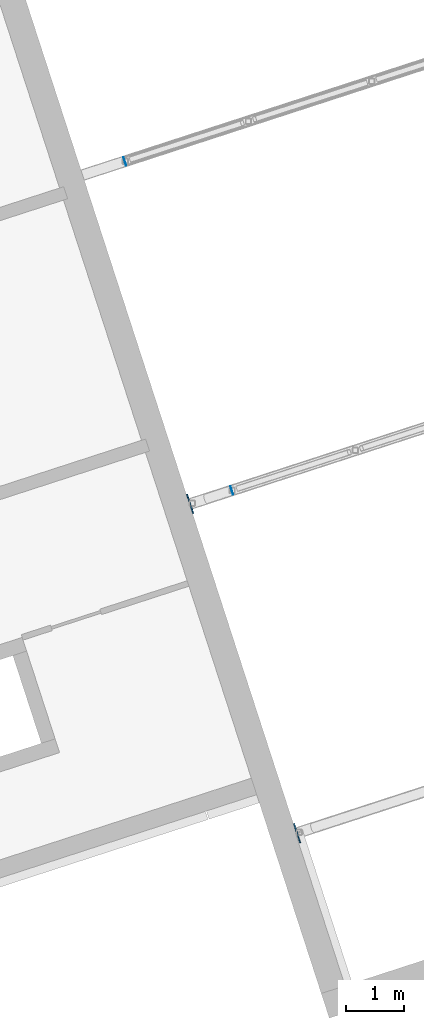
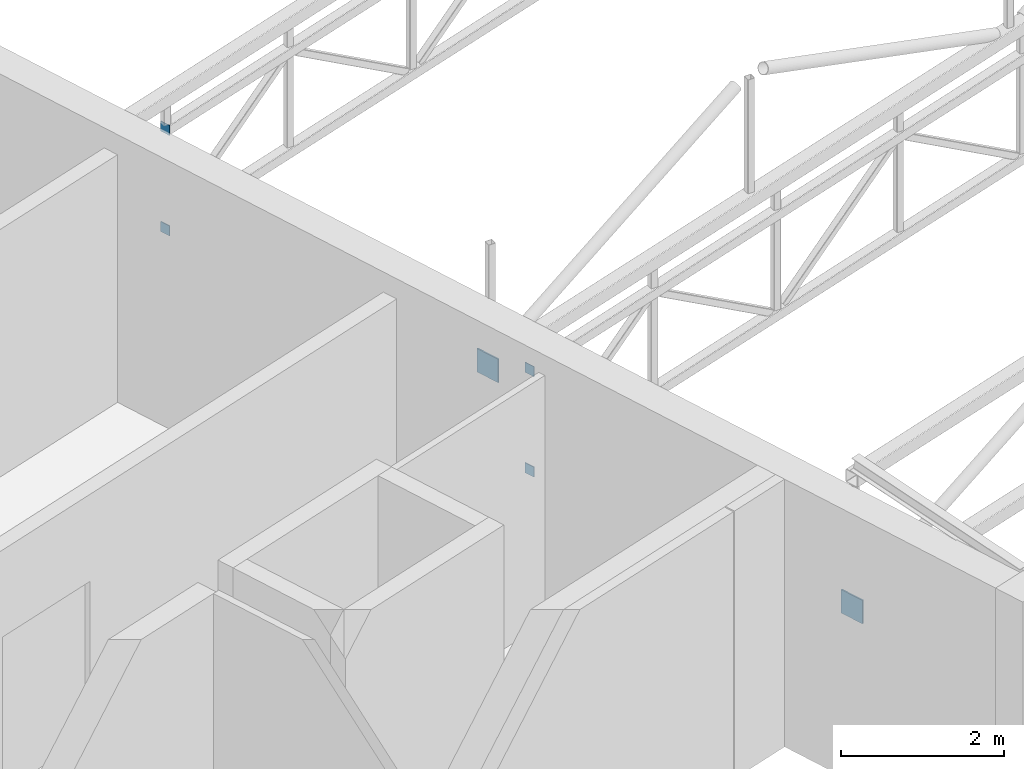
# One storey, part 66 of 81: 6 plates.
"""IFC4 building model written with IfcOpenShell, lengths in metres."""

from ifc_helpers import new_model, si_unit, direction, frame, origin, place, context, subcontext, project, spatial, polyline, outline, extrude, material, layer, layer_set, type_object, element, save


model = new_model("IFC4")

# Units and contexts
model_context = context("Model", 3, precision=1e-05, world=origin(), true_north=direction((0.0, 1.0)))
body_context = subcontext(model_context, "Body", "Model", "MODEL_VIEW")
ifc_project = project(units=[si_unit("LENGTHUNIT", "METRE"), si_unit("AREAUNIT", "SQUARE_METRE"), si_unit("VOLUMEUNIT", "CUBIC_METRE"), si_unit("PLANEANGLEUNIT", "RADIAN"), si_unit("MASSUNIT", "GRAM", prefix="KILO")], contexts=[model_context])

# Site, building, storey
site_placement = place(None, origin())
site = spatial("IfcSite", under=ifc_project, at=site_placement, CompositionType="ELEMENT")
building_placement = place(site_placement, origin())
building = spatial("IfcBuilding", under=site, at=building_placement, Name="Tuart Plaza Theatre", CompositionType="ELEMENT")
storey_placement = place(building_placement, frame((0.0, 0.0, 17.5)))
storey = spatial("IfcBuildingStorey", under=building, at=storey_placement, Name="L04", CompositionType="ELEMENT", Elevation=17.5)

# Plates
ifc_material_1 = material(Name="Steel Grade 300", Category="steel")
ifc_layer_1 = layer(ifc_material_1, 0.02001953125)
ifc_layer_set_1 = layer_set([ifc_layer_1], Name="PLATE Cast-in 20 Steel Grade 300")
plate_type_1 = type_object("IfcPlateType", Name="PLATE Cast-in 20 Steel Grade 300", PredefinedType="SHEET", material=ifc_layer_set_1)
plate_1_placement = place(storey_placement, frame((49.360107421875, 44.762451171875, 2.01220703125), z_axis=(0.951028941009, 0.309101849499, 0.0), x_axis=(-0.309101849499, 0.951028941009, 0.0)))
element("IfcPlate", 1, at=plate_1_placement, inside=storey, type_object=plate_type_1, Name="CI1", PredefinedType="SHEET", context=body_context, shape_type="SweptSolid", body=[
    extrude(outline(polyline([(0.0, 0.0), (0.34989857566480365, 0.0), (0.34989857566480365, 0.35009765625), (0.0, 0.35009765625), (0.0, 0.0)])), origin(), (0.0, 0.0, -1.0), 0.02001953125),
])
plate_2_placement = place(storey_placement, frame((47.505859375, 50.46875, 2.804443359375), z_axis=(0.951095540201, 0.308896865329, 0.0), x_axis=(-0.308896865329, 0.951095540201, 0.0)))
element("IfcPlate", 2, at=plate_2_placement, inside=storey, type_object=plate_type_1, Name="CI3", PredefinedType="SHEET", context=body_context, shape_type="SweptSolid", body=[
    extrude(outline(polyline([(0.0, 0.0), (0.35013076859733533, 0.0), (0.35013076859733533, 0.35009765625000006), (0.0, 0.35009765625000006), (0.0, 0.0)])), origin(), (0.0, 0.0, -1.0), 0.02001953125),
])
ifc_material_2 = material(Name="Steel Grade C350L0", Category="steel")
ifc_layer_2 = layer(ifc_material_2, 0.010009765625)
ifc_layer_set_2 = layer_set([ifc_layer_2], Name="PLATE End cap 10 Steel Grade C350L0")
plate_type_2 = type_object("IfcPlateType", Name="PLATE End cap 10 Steel Grade C350L0", PredefinedType="SHEET", material=ifc_layer_set_2)
for number, where, z_axis, x_axis, name in (
    (3, (48.18359375, 50.794189453125, 1.099365234375), (-0.950938293792, -0.309380609282, 0.0), (-0.309380609282, 0.950938293792, 0.0), "EP33"),
    (4, (48.18359375, 50.794189453125, 2.599365234375), (-0.950938293792, -0.309380609282, 0.0), (-0.309380609282, 0.950938293792, 0.0), "EP35"),
):
    element("IfcPlate", number, at=place(storey_placement, frame(where, z_axis=z_axis, x_axis=x_axis)), inside=storey, type_object=plate_type_2, Name=name, PredefinedType="SHEET", context=body_context, shape_type="SweptSolid", body=[
        extrude(outline(polyline([(0.0, 0.0), (0.14993415022904966, 0.0), (0.14993415022904966, 0.14990234375000003), (0.0, 0.14990234375000003), (0.0, 0.0)])), origin(), (0.0, 0.0, -1.0), 0.010009765625),
    ])
for number, where, z_axis, x_axis, name in (
    (5, (46.329345703125, 56.50048828125, 1.8916015625), (-0.951416448013, -0.307907035402, 0.0), (-0.307907035402, 0.951416448013, 0.0), "EP37"),
    (6, (46.329345703125, 56.50048828125, 3.3916015625), (-0.951416448013, -0.307907035402, 0.0), (-0.307907035402, 0.951416448013, 0.0), "EP39"),
):
    element("IfcPlate", number, at=place(storey_placement, frame(where, z_axis=z_axis, x_axis=x_axis)), inside=storey, type_object=plate_type_2, Name=name, PredefinedType="SHEET", context=body_context, shape_type="SweptSolid", body=[
        extrude(outline(polyline([(0.0, 0.0), (0.1498587976881483, 0.0), (0.1498587976881483, 0.14990234375), (0.0, 0.14990234375), (0.0, 0.0)])), origin(), (0.0, 0.0, -1.0), 0.010009765625),
    ])

save(model, "model.ifc")
